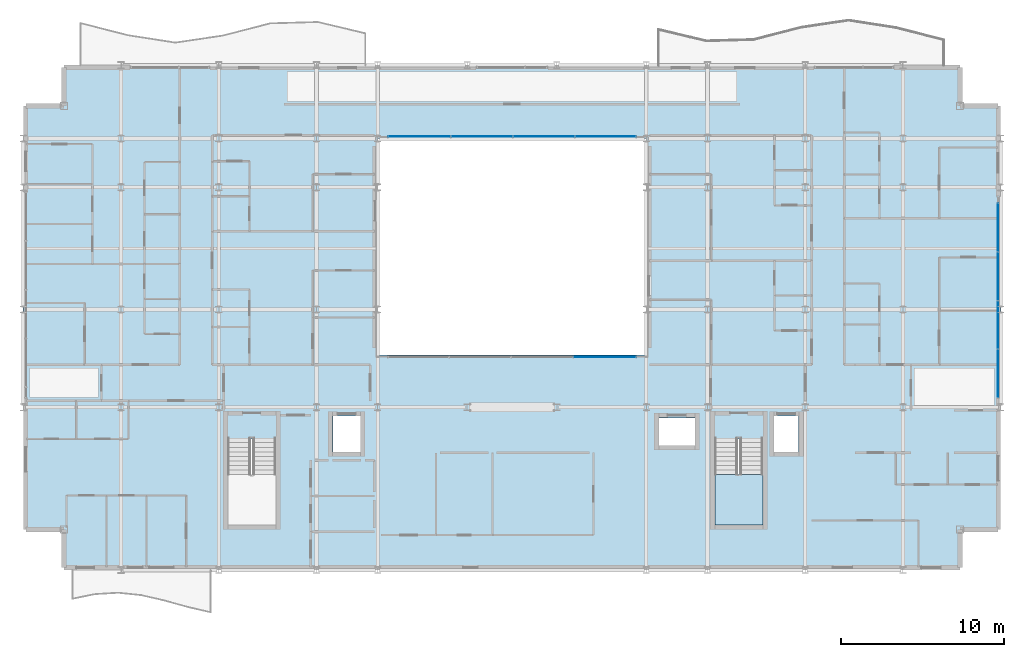
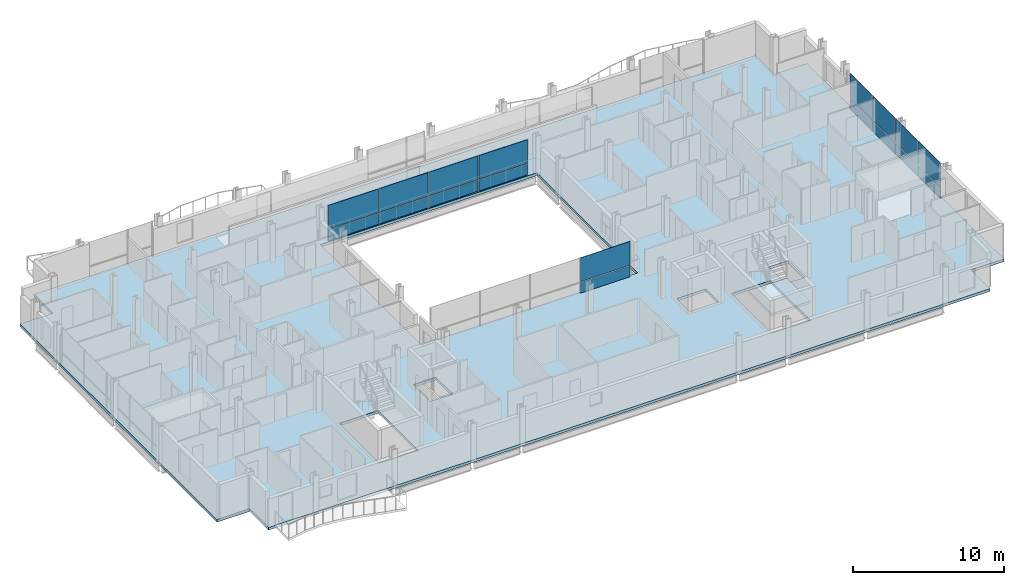
# One storey, part 27 of 40: 18 plates, 2 slabs, 4 elements without a shape of their own.
"""IFC4 building model written with IfcOpenShell, lengths in metres."""

from ifc_helpers import new_model, si_unit, direction, frame, origin, origin_2d, place, context, subcontext, project, spatial, polyline, rectangle, outline, extrude, material, layer, layer_set, type_object, element, aggregate, save


model = new_model("IFC4")

# Units and contexts
model_context = context("Model", 3, precision=1e-05, world=origin(), true_north=direction((0.0, 1.0)))
body_context = subcontext(model_context, "Body", "Model", "MODEL_VIEW")
ifc_project = project(units=[si_unit("LENGTHUNIT", "METRE"), si_unit("AREAUNIT", "SQUARE_METRE"), si_unit("VOLUMEUNIT", "CUBIC_METRE"), si_unit("PLANEANGLEUNIT", "RADIAN"), si_unit("MASSUNIT", "GRAM", prefix="KILO")], contexts=[model_context])

# Site, building, storey
site_placement = place(None, origin())
site = spatial("IfcSite", under=ifc_project, at=site_placement, CompositionType="ELEMENT")
building_placement = place(site_placement, origin())
building = spatial("IfcBuilding", under=site, at=building_placement, Name="Brevholm Reach", CompositionType="ELEMENT")
storey_placement = place(building_placement, frame((0.0, 0.0, 131.39990234375)))
storey = spatial("IfcBuildingStorey", under=building, at=storey_placement, Name="L39", CompositionType="ELEMENT", Elevation=131.39990234375)

# Curtain wall, plates
ifc_material_1 = material(Name="Dark Anodised Aluminium 6063-T6 and Solar-Control Glass", Category="aluminium")
ifc_layer_1 = layer(ifc_material_1, 0.14990234375)
ifc_layer_set_1 = layer_set([ifc_layer_1], Name="Dark Anodised Aluminium 6063-T6 and Solar-Control Glass")
curtain_wall_type_1 = type_object("IfcCurtainWallType", Name="CW-01", PredefinedType="NOTDEFINED", material=ifc_layer_set_1)
curtain_wall_1_placement = place(storey_placement, origin())
curtain_wall_1 = element("IfcCurtainWall", 1, at=curtain_wall_1_placement, inside=storey, type_object=curtain_wall_type_1, Name="L39 Curtain Wall CW-01", PredefinedType="NOTDEFINED")
ifc_material_2 = material(Name="Dark Solar-Control Double-Glazed IGU Glass", Category="glass")
ifc_layer_2 = layer(ifc_material_2, 0.028076171875)
ifc_layer_set_2 = layer_set([ifc_layer_2], Name="Dark Solar-Control Double-Glazed IGU Glass")
plate_type_1 = type_object("IfcPlateType", Name="CWP-GLZ-28", PredefinedType="CURTAIN_PANEL", material=ifc_layer_set_2)
plate_1_placement = place(storey_placement, frame((59.85009765625, 12.066162109375, 0.0), z_axis=(0.0, 0.0, 1.0), x_axis=(0.0, 1.0, 0.0)))
plate_1 = element("IfcPlate", 2, at=plate_1_placement, type_object=plate_type_1, Name="CP-01 Glazing Panel 1.1", PredefinedType="CURTAIN_PANEL", context=body_context, shape_type="SweptSolid", body=[
    extrude(rectangle(XDim=2.902587890625, YDim=0.028076171875, at=origin_2d()), origin(), (0.0, 0.0, 1.0), 0.867431640625),
])
plate_2_placement = place(storey_placement, frame((59.85009765625, 12.066162109375, 0.9326171875), z_axis=(0.0, 0.0, 1.0), x_axis=(0.0, 1.0, 0.0)))
plate_2 = element("IfcPlate", 3, at=plate_2_placement, type_object=plate_type_1, Name="CP-01 Glazing Panel 1.2", PredefinedType="CURTAIN_PANEL", context=body_context, shape_type="SweptSolid", body=[
    extrude(rectangle(XDim=2.902587890625, YDim=0.028076171875, at=origin_2d()), origin(), (0.0, 0.0, 1.0), 1.91748046875),
])
plate_3_placement = place(storey_placement, frame((59.85009765625, 15.050048828125, 0.0), z_axis=(0.0, 0.0, 1.0), x_axis=(0.0, 1.0, 0.0)))
plate_3 = element("IfcPlate", 4, at=plate_3_placement, type_object=plate_type_1, Name="CP-01 Glazing Panel 2.1", PredefinedType="CURTAIN_PANEL", context=body_context, shape_type="SweptSolid", body=[
    extrude(rectangle(XDim=2.93505859375, YDim=0.028076171875, at=origin_2d()), origin(), (0.0, 0.0, 1.0), 0.867431640625),
])
plate_4_placement = place(storey_placement, frame((59.85009765625, 15.050048828125, 0.9326171875), z_axis=(0.0, 0.0, 1.0), x_axis=(0.0, 1.0, 0.0)))
plate_4 = element("IfcPlate", 5, at=plate_4_placement, type_object=plate_type_1, Name="CP-01 Glazing Panel 2.2", PredefinedType="CURTAIN_PANEL", context=body_context, shape_type="SweptSolid", body=[
    extrude(rectangle(XDim=2.93505859375, YDim=0.028076171875, at=origin_2d()), origin(), (0.0, 0.0, 1.0), 1.91748046875),
])
plate_5_placement = place(storey_placement, frame((59.85009765625, 18.050048828125, 0.0), z_axis=(0.0, 0.0, 1.0), x_axis=(0.0, 1.0, 0.0)))
plate_5 = element("IfcPlate", 6, at=plate_5_placement, type_object=plate_type_1, Name="CP-01 Glazing Panel 3.1", PredefinedType="CURTAIN_PANEL", context=body_context, shape_type="SweptSolid", body=[
    extrude(rectangle(XDim=2.93505859375, YDim=0.028076171875, at=origin_2d()), origin(), (0.0, 0.0, 1.0), 0.867431640625),
])
plate_6_placement = place(storey_placement, frame((59.85009765625, 18.050048828125, 0.9326171875), z_axis=(0.0, 0.0, 1.0), x_axis=(0.0, 1.0, 0.0)))
plate_6 = element("IfcPlate", 7, at=plate_6_placement, type_object=plate_type_1, Name="CP-01 Glazing Panel 3.2", PredefinedType="CURTAIN_PANEL", context=body_context, shape_type="SweptSolid", body=[
    extrude(rectangle(XDim=2.93505859375, YDim=0.028076171875, at=origin_2d()), origin(), (0.0, 0.0, 1.0), 1.91748046875),
])
plate_7_placement = place(storey_placement, frame((59.85009765625, 21.050048828125, 0.0), z_axis=(0.0, 0.0, 1.0), x_axis=(0.0, 1.0, 0.0)))
plate_7 = element("IfcPlate", 8, at=plate_7_placement, type_object=plate_type_1, Name="CP-01 Glazing Panel 4.1", PredefinedType="CURTAIN_PANEL", context=body_context, shape_type="SweptSolid", body=[
    extrude(rectangle(XDim=2.93505859375, YDim=0.028076171875, at=origin_2d()), origin(), (0.0, 0.0, 1.0), 0.867431640625),
])
plate_8_placement = place(storey_placement, frame((59.85009765625, 21.050048828125, 0.9326171875), z_axis=(0.0, 0.0, 1.0), x_axis=(0.0, 1.0, 0.0)))
plate_8 = element("IfcPlate", 9, at=plate_8_placement, type_object=plate_type_1, Name="CP-01 Glazing Panel 4.2", PredefinedType="CURTAIN_PANEL", context=body_context, shape_type="SweptSolid", body=[
    extrude(rectangle(XDim=2.93505859375, YDim=0.028076171875, at=origin_2d()), origin(), (0.0, 0.0, 1.0), 1.91748046875),
])
aggregate(curtain_wall_1, [plate_1, plate_2, plate_3, plate_4, plate_5, plate_6, plate_7, plate_8])

ifc_material_3 = material(Name="Dark Anodised Aluminium 6063-T6 and Solar-Control Glass", Category="aluminium")
ifc_layer_3 = layer(ifc_material_3, 0.139892578125)
ifc_layer_set_3 = layer_set([ifc_layer_3], Name="Dark Anodised Aluminium 6063-T6 and Solar-Control Glass")
curtain_wall_type_2 = type_object("IfcCurtainWallType", Name="CW-02", PredefinedType="NOTDEFINED", material=ifc_layer_set_3)
curtain_wall_2_placement = place(storey_placement, origin())
curtain_wall_2 = element("IfcCurtainWall", 10, at=curtain_wall_2_placement, inside=storey, type_object=curtain_wall_type_2, Name="L39 Curtain Wall CW-02", PredefinedType="NOTDEFINED")
ifc_material_4 = material(Name="Low-Iron Laminated Acoustic Glass", Category="glass")
ifc_layer_4 = layer(ifc_material_4, 0.035888671875)
ifc_layer_set_4 = layer_set([ifc_layer_4], Name="Low-Iron Laminated Acoustic Glass")
plate_type_2 = type_object("IfcPlateType", Name="CWP-GLZ-36", PredefinedType="CURTAIN_PANEL", material=ifc_layer_set_4)
plate_9_placement = place(storey_placement, frame((35.68505859375, 13.080078125, 0.0), z_axis=(0.0, 0.0, 1.0), x_axis=(1.0, 0.0, 0.0)))
plate_9 = element("IfcPlate", 11, at=plate_9_placement, type_object=plate_type_2, Name="CP-02 Glazing Panel 4.1", PredefinedType="CURTAIN_PANEL", context=body_context, shape_type="SweptSolid", body=[
    extrude(rectangle(XDim=3.81005859375, YDim=0.035888671875, at=origin_2d()), origin(), (0.0, 0.0, 1.0), 0.8701171875),
])
plate_10_placement = place(storey_placement, frame((35.68505859375, 13.080078125, 0.93017578125), z_axis=(0.0, 0.0, 1.0), x_axis=(1.0, 0.0, 0.0)))
plate_10 = element("IfcPlate", 12, at=plate_10_placement, type_object=plate_type_2, Name="CP-02 Glazing Panel 4.2", PredefinedType="CURTAIN_PANEL", context=body_context, shape_type="SweptSolid", body=[
    extrude(rectangle(XDim=3.81005859375, YDim=0.035888671875, at=origin_2d()), origin(), (0.0, 0.0, 1.0), 1.919921875),
])
aggregate(curtain_wall_2, [plate_9, plate_10])

curtain_wall_3_placement = place(storey_placement, origin())
curtain_wall_3 = element("IfcCurtainWall", 13, at=curtain_wall_3_placement, inside=storey, type_object=curtain_wall_type_2, Name="L39 Curtain Wall CW-02", PredefinedType="NOTDEFINED")
plate_11_placement = place(storey_placement, frame((35.735107421875, 26.6201171875, 0.0), z_axis=(0.0, 0.0, 1.0), x_axis=(-1.0, 0.0, 0.0)))
plate_11 = element("IfcPlate", 14, at=plate_11_placement, type_object=plate_type_2, Name="CP-02 Glazing Panel 1.1", PredefinedType="CURTAIN_PANEL", context=body_context, shape_type="SweptSolid", body=[
    extrude(rectangle(XDim=3.7099609375, YDim=0.035888671875, at=origin_2d()), origin(), (0.0, 0.0, 1.0), 0.8701171875),
])
plate_12_placement = place(storey_placement, frame((35.735107421875, 26.6201171875, 0.93017578125), z_axis=(0.0, 0.0, 1.0), x_axis=(-1.0, 0.0, 0.0)))
plate_12 = element("IfcPlate", 15, at=plate_12_placement, type_object=plate_type_2, Name="CP-02 Glazing Panel 1.2", PredefinedType="CURTAIN_PANEL", context=body_context, shape_type="SweptSolid", body=[
    extrude(rectangle(XDim=3.7099609375, YDim=0.035888671875, at=origin_2d()), origin(), (0.0, 0.0, 1.0), 1.919921875),
])
plate_13_placement = place(storey_placement, frame((31.949951171875, 26.6201171875, 0.0), z_axis=(0.0, 0.0, 1.0), x_axis=(-1.0, 0.0, 0.0)))
plate_13 = element("IfcPlate", 16, at=plate_13_placement, type_object=plate_type_2, Name="CP-02 Glazing Panel 2.1", PredefinedType="CURTAIN_PANEL", context=body_context, shape_type="SweptSolid", body=[
    extrude(rectangle(XDim=3.739990234375, YDim=0.035888671875, at=origin_2d()), origin(), (0.0, 0.0, 1.0), 0.8701171875),
])
plate_14_placement = place(storey_placement, frame((31.949951171875, 26.6201171875, 0.93017578125), z_axis=(0.0, 0.0, 1.0), x_axis=(-1.0, 0.0, 0.0)))
plate_14 = element("IfcPlate", 17, at=plate_14_placement, type_object=plate_type_2, Name="CP-02 Glazing Panel 2.2", PredefinedType="CURTAIN_PANEL", context=body_context, shape_type="SweptSolid", body=[
    extrude(rectangle(XDim=3.739990234375, YDim=0.035888671875, at=origin_2d()), origin(), (0.0, 0.0, 1.0), 1.919921875),
])
plate_15_placement = place(storey_placement, frame((28.14990234375, 26.6201171875, 0.0), z_axis=(0.0, 0.0, 1.0), x_axis=(-1.0, 0.0, 0.0)))
plate_15 = element("IfcPlate", 18, at=plate_15_placement, type_object=plate_type_2, Name="CP-02 Glazing Panel 3.1", PredefinedType="CURTAIN_PANEL", context=body_context, shape_type="SweptSolid", body=[
    extrude(rectangle(XDim=3.739990234375, YDim=0.035888671875, at=origin_2d()), origin(), (0.0, 0.0, 1.0), 0.8701171875),
])
plate_16_placement = place(storey_placement, frame((28.14990234375, 26.6201171875, 0.93017578125), z_axis=(0.0, 0.0, 1.0), x_axis=(-1.0, 0.0, 0.0)))
plate_16 = element("IfcPlate", 19, at=plate_16_placement, type_object=plate_type_2, Name="CP-02 Glazing Panel 3.2", PredefinedType="CURTAIN_PANEL", context=body_context, shape_type="SweptSolid", body=[
    extrude(rectangle(XDim=3.739990234375, YDim=0.035888671875, at=origin_2d()), origin(), (0.0, 0.0, 1.0), 1.919921875),
])
plate_17_placement = place(storey_placement, frame((24.31494140625, 26.6201171875, 0.0), z_axis=(0.0, 0.0, 1.0), x_axis=(-1.0, 0.0, 0.0)))
plate_17 = element("IfcPlate", 20, at=plate_17_placement, type_object=plate_type_2, Name="CP-02 Glazing Panel 4.1", PredefinedType="CURTAIN_PANEL", context=body_context, shape_type="SweptSolid", body=[
    extrude(rectangle(XDim=3.81005859375, YDim=0.035888671875, at=origin_2d()), origin(), (0.0, 0.0, 1.0), 0.8701171875),
])
plate_18_placement = place(storey_placement, frame((24.31494140625, 26.6201171875, 0.93017578125), z_axis=(0.0, 0.0, 1.0), x_axis=(-1.0, 0.0, 0.0)))
plate_18 = element("IfcPlate", 21, at=plate_18_placement, type_object=plate_type_2, Name="CP-02 Glazing Panel 4.2", PredefinedType="CURTAIN_PANEL", context=body_context, shape_type="SweptSolid", body=[
    extrude(rectangle(XDim=3.81005859375, YDim=0.035888671875, at=origin_2d()), origin(), (0.0, 0.0, 1.0), 1.919921875),
])
aggregate(curtain_wall_3, [plate_11, plate_12, plate_13, plate_14, plate_15, plate_16, plate_17, plate_18])

# Slab
ifc_material_5 = material(Name="Concrete C40/50", Category="concrete")
ifc_layer_5 = layer(ifc_material_5, 0.219970703125)
ifc_layer_set_5 = layer_set([ifc_layer_5], Name="Concrete C40/50")
slab_type_1 = type_object("IfcSlabType", Name="SLB-FL-220", PredefinedType="FLOOR", material=ifc_layer_set_5)
slab_1_placement = place(storey_placement, frame((0.0, 0.0, -0.219970703125)))
element("IfcSlab", 22, at=slab_1_placement, inside=storey, type_object=slab_type_1, Name="L39 Suspended Floor Slab (main)", PredefinedType="FLOOR", context=body_context, shape_type="SweptSolid", body=[
    extrude(outline(polyline([(2.5, 0.0), (57.5, 0.0), (57.5, 2.5), (60.0, 2.5), (60.0, 28.5), (57.5, 28.5), (57.5, 31.0), (2.5, 31.0), (2.5, 28.5), (0.0, 28.5), (0.0, 2.5), (2.5, 2.5), (2.5, 0.0)]), holes=[polyline([(21.75, 13.199951171875), (38.25, 13.199951171875), (38.25, 26.5), (21.75, 26.5), (21.75, 13.199951171875)]), polyline([(12.550048828125, 2.780029296875), (15.5, 2.780029296875), (15.5, 8.044921875), (12.550048828125, 8.044921875), (12.550048828125, 2.780029296875)]), polyline([(42.449951171875, 2.780029296875), (45.39990234375, 2.780029296875), (45.39990234375, 8.044921875), (42.449951171875, 8.044921875), (42.449951171875, 2.780029296875)]), polyline([(19.0, 7.25), (20.699951171875, 7.25), (20.699951171875, 9.449951171875), (19.0, 9.449951171875), (19.0, 7.25)]), polyline([(46.10009765625, 7.25), (47.60009765625, 7.25), (47.60009765625, 9.449951171875), (46.10009765625, 9.449951171875), (46.10009765625, 7.25)]), polyline([(39.02001953125, 7.64990234375), (41.219970703125, 7.64990234375), (41.219970703125, 9.35009765625), (39.02001953125, 9.35009765625), (39.02001953125, 7.64990234375)])]), origin(), (0.0, 0.0, 1.0), 0.219970703125),
])

# Stair, slab
ifc_material_6 = material(Name="Precast Concrete C40/50", Category="concrete")
stair_type = type_object("IfcStairType", Name="STR-ESC-1400", PredefinedType="DOUBLE_RETURN_STAIR", material=ifc_material_6)
stair_placement = place(storey_placement, origin())
stair = element("IfcStair", 23, at=stair_placement, inside=storey, type_object=stair_type, Name="L39 ST-2", PredefinedType="DOUBLE_RETURN_STAIR")
ifc_material_7 = material(Name="Concrete C40/50", Category="concrete")
ifc_layer_6 = layer(ifc_material_7, 0.199951171875)
ifc_layer_set_6 = layer_set([ifc_layer_6], Name="Concrete C40/50")
slab_type_2 = type_object("IfcSlabType", Name="SLB-LND-200", PredefinedType="LANDING", material=ifc_layer_set_6)
slab_2_placement = place(storey_placement, frame((0.0, 0.0, 1.35009765625)))
slab_2 = element("IfcSlab", 24, at=slab_2_placement, type_object=slab_type_2, Name="ST-2 landing 1", PredefinedType="LANDING", context=body_context, shape_type="SweptSolid", body=[
    extrude(outline(polyline([(42.449951171875, 5.860107421875), (42.449951171875, 2.780029296875), (45.39990234375, 2.780029296875), (45.39990234375, 5.860107421875), (42.449951171875, 5.860107421875)])), origin(), (0.0, 0.0, 1.0), 0.199951171875),
])
aggregate(stair, [slab_2])

save(model, "model.ifc")
